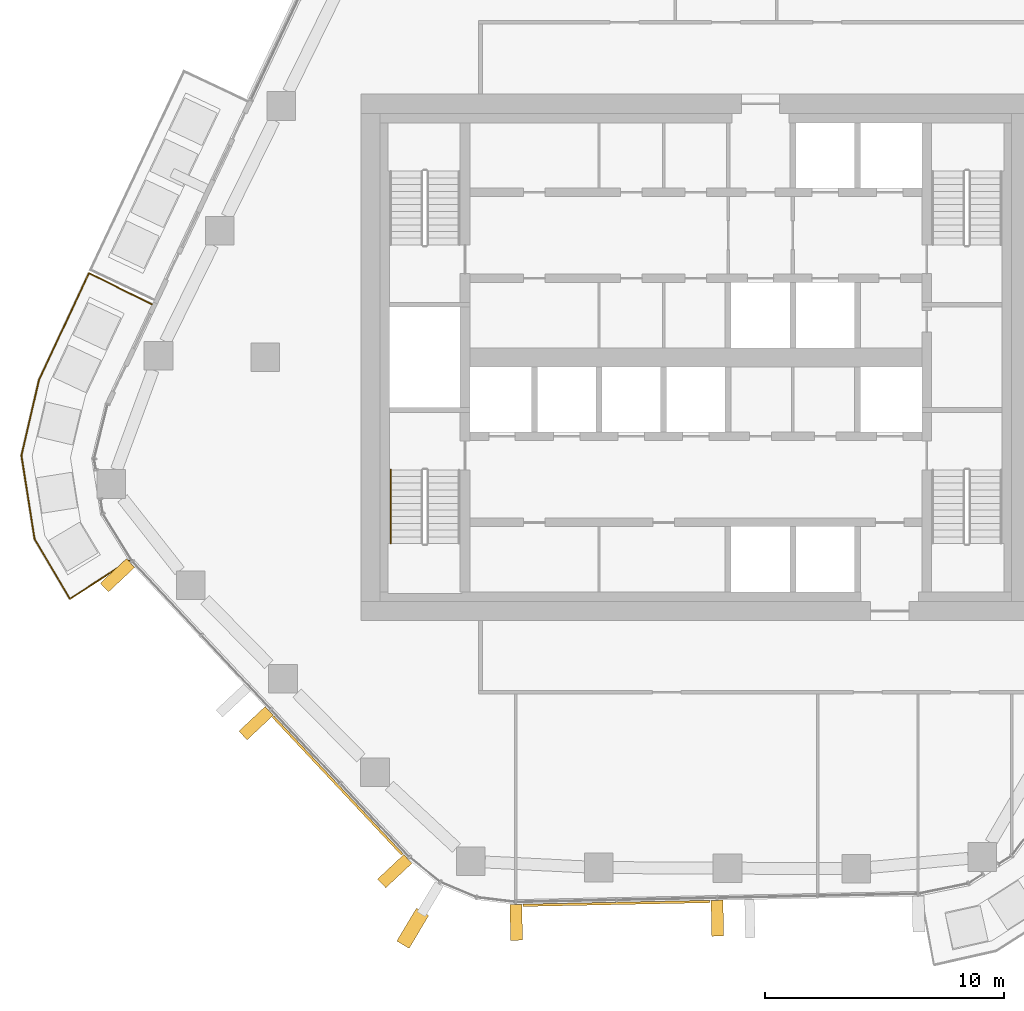
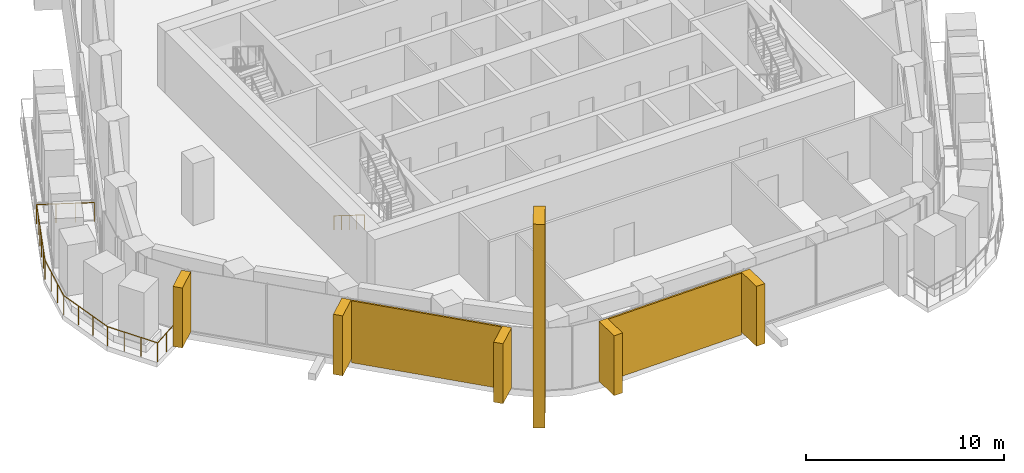
# One storey, part 15 of 18: 8 coverings, 2 railings, 3 elements without a shape of their own.
"""IFC4 building model written with IfcOpenShell, lengths in metres."""

from ifc_helpers import new_model, si_unit, direction, frame, origin, origin_2d, place, context, subcontext, project, spatial, rectangle, circle, extrude, material, layer, layer_set, material_profile, profile_set, type_object, element, aggregate, save


model = new_model("IFC4")

# Units and contexts
model_context = context("Model", 3, precision=1e-05, world=origin(), true_north=direction((0.0, 1.0)))
body_context = subcontext(model_context, "Body", "Model", "MODEL_VIEW")
ifc_project = project(units=[si_unit("LENGTHUNIT", "METRE"), si_unit("AREAUNIT", "SQUARE_METRE"), si_unit("VOLUMEUNIT", "CUBIC_METRE"), si_unit("PLANEANGLEUNIT", "RADIAN"), si_unit("MASSUNIT", "GRAM", prefix="KILO")], contexts=[model_context])

# Site, building, storey
site_placement = place(None, origin())
site = spatial("IfcSite", under=ifc_project, at=site_placement, CompositionType="ELEMENT")
building_placement = place(site_placement, origin())
building = spatial("IfcBuilding", under=site, at=building_placement, Name="Dongbaek Canopy Tower", CompositionType="ELEMENT")
storey_placement = place(building_placement, frame((0.0, 0.0, 158.60009765625)))
storey = spatial("IfcBuildingStorey", under=building, at=storey_placement, Name="L34", CompositionType="ELEMENT", Elevation=158.60009765625)

# Railing
ifc_material_1 = material(Name="Stainless steel", Category="steel")
railing_type_1 = type_object("IfcRailingType", Name="Balcony balustrade 1200", PredefinedType="BALUSTRADE", material=ifc_material_1)
railing_1_placement = place(storey_placement, frame((-22.730712890625, 2.21435546875, 0.0)))
element("IfcRailing", 1, at=railing_1_placement, inside=storey, type_object=railing_type_1, Name="Balcony guard L34 3", PredefinedType="BALUSTRADE", context=body_context, shape_type="SweptSolid", body=[
    extrude(circle(Radius=0.02392578125, at=origin_2d()), frame((0.0, 0.0, 1.17578125), z_axis=(-0.895735106679, 0.444588144987, 0.0), x_axis=(-0.444588144987, -0.895735106679, 0.0)), (0.0, 0.0, 1.0), 2.940673828125),
    extrude(circle(Radius=0.02392578125, at=origin_2d()), frame((-2.634033203125, 1.307373046875, 1.17578125), z_axis=(-0.423516750842, -0.905888272226, 0.0), x_axis=(0.905888272226, -0.423516750842, 0.0)), (0.0, 0.0, 1.0), 4.93212890625),
    extrude(circle(Radius=0.02392578125, at=origin_2d()), frame((-4.722900390625, -3.16064453125, 1.17578125), z_axis=(-0.226085073911, -0.974107560465, 0.0), x_axis=(0.974107560465, -0.226085073911, 0.0)), (0.0, 0.0, 1.0), 3.243896484375),
    extrude(circle(Radius=0.02392578125, at=origin_2d()), frame((-5.456298828125, -6.320556640625, 1.17578125), z_axis=(0.155707044404, -0.987803278149, 0.0), x_axis=(0.987803278149, 0.155707044404, 0.0)), (0.0, 0.0, 1.0), 3.532470703125),
    extrude(circle(Radius=0.02392578125, at=origin_2d()), frame((-4.90625, -9.81005859375, 1.17578125), z_axis=(0.509092024836, -0.860712094866, 0.0), x_axis=(0.860712094866, 0.509092024836, 0.0)), (0.0, 0.0, 1.0), 2.90234375),
    extrude(circle(Radius=0.02392578125, at=origin_2d()), frame((-3.4287109375, -12.30810546875, 1.17578125), z_axis=(0.839434258494, 0.543461245782, 0.0), x_axis=(-0.543461245782, 0.839434258494, 0.0)), (0.0, 0.0, 1.0), 2.940673828125),
    extrude(circle(Radius=0.02099609375, at=origin_2d()), origin(), (0.0, 0.0, 1.0), 1.15185546875),
    extrude(circle(Radius=0.02099609375, at=origin_2d()), frame((-0.8779296875, 0.435791015625, 0.0)), (0.0, 0.0, 1.0), 1.15185546875),
    extrude(circle(Radius=0.02099609375, at=origin_2d()), frame((-1.756103515625, 0.87158203125, 0.0)), (0.0, 0.0, 1.0), 1.15185546875),
    extrude(circle(Radius=0.02099609375, at=origin_2d()), frame((-2.634033203125, 1.307373046875, 0.0)), (0.0, 0.0, 1.0), 1.15185546875),
    extrude(circle(Radius=0.02099609375, at=origin_2d()), frame((-3.0517578125, 0.413818359375, 0.0)), (0.0, 0.0, 1.0), 1.15185546875),
    extrude(circle(Radius=0.02099609375, at=origin_2d()), frame((-3.469482421875, -0.479736328125, 0.0)), (0.0, 0.0, 1.0), 1.15185546875),
    extrude(circle(Radius=0.02099609375, at=origin_2d()), frame((-3.887451171875, -1.37353515625, 0.0)), (0.0, 0.0, 1.0), 1.15185546875),
    extrude(circle(Radius=0.02099609375, at=origin_2d()), frame((-4.30517578125, -2.26708984375, 0.0)), (0.0, 0.0, 1.0), 1.15185546875),
    extrude(circle(Radius=0.02099609375, at=origin_2d()), frame((-4.722900390625, -3.16064453125, 0.0)), (0.0, 0.0, 1.0), 1.15185546875),
    extrude(circle(Radius=0.02099609375, at=origin_2d()), frame((-4.96728515625, -4.2138671875, 0.0)), (0.0, 0.0, 1.0), 1.15185546875),
    extrude(circle(Radius=0.02099609375, at=origin_2d()), frame((-5.2119140625, -5.267333984375, 0.0)), (0.0, 0.0, 1.0), 1.15185546875),
    extrude(circle(Radius=0.02099609375, at=origin_2d()), frame((-5.456298828125, -6.320556640625, 0.0)), (0.0, 0.0, 1.0), 1.15185546875),
    extrude(circle(Radius=0.02099609375, at=origin_2d()), frame((-5.27294921875, -7.483642578125, 0.0)), (0.0, 0.0, 1.0), 1.15185546875),
    extrude(circle(Radius=0.02099609375, at=origin_2d()), frame((-5.089599609375, -8.64697265625, 0.0)), (0.0, 0.0, 1.0), 1.15185546875),
    extrude(circle(Radius=0.02099609375, at=origin_2d()), frame((-4.90625, -9.81005859375, 0.0)), (0.0, 0.0, 1.0), 1.15185546875),
    extrude(circle(Radius=0.02099609375, at=origin_2d()), frame((-4.413818359375, -10.642822265625, 0.0)), (0.0, 0.0, 1.0), 1.15185546875),
    extrude(circle(Radius=0.02099609375, at=origin_2d()), frame((-3.921142578125, -11.475341796875, 0.0)), (0.0, 0.0, 1.0), 1.15185546875),
    extrude(circle(Radius=0.02099609375, at=origin_2d()), frame((-3.4287109375, -12.30810546875, 0.0)), (0.0, 0.0, 1.0), 1.15185546875),
    extrude(circle(Radius=0.02099609375, at=origin_2d()), frame((-2.60595703125, -11.775390625, 0.0)), (0.0, 0.0, 1.0), 1.15185546875),
    extrude(circle(Radius=0.02099609375, at=origin_2d()), frame((-1.782958984375, -11.24267578125, 0.0)), (0.0, 0.0, 1.0), 1.15185546875),
    extrude(circle(Radius=0.02099609375, at=origin_2d()), frame((-0.960205078125, -10.7099609375, 0.0)), (0.0, 0.0, 1.0), 1.15185546875),
])

# Curtain wall, covering
ifc_material_2 = material(Name="Aluminium 6063-T6 pale anodised", Category="aluminium")
ifc_layer_1 = layer(ifc_material_2, 0.199951171875)
ifc_layer_set_1 = layer_set([ifc_layer_1], Name="CW-1 unitised tower curtain wall")
curtain_wall_type = type_object("IfcCurtainWallType", Name="CW-1 unitised tower curtain wall", PredefinedType="NOTDEFINED", material=ifc_layer_set_1)
curtain_wall_1_placement = place(storey_placement, origin())
curtain_wall_1 = element("IfcCurtainWall", 2, at=curtain_wall_1_placement, inside=storey, type_object=curtain_wall_type, Name="CW-1 curtain wall K4.1", PredefinedType="NOTDEFINED")
ifc_material_3 = material(Name="Aluminium 6063-T6 pale metal fin", Category="aluminium")
ifc_material_profile_1 = material_profile(ifc_material_3, rectangle(XDim=1.60009765625, YDim=0.60009765625, at=origin_2d()), Name="Corner fin CN1 600 x 1600 pale metal")
ifc_profile_set_1 = profile_set([ifc_material_profile_1], Name="Aluminium 6063-T6 pale metal fin")
covering_type_1 = type_object("IfcCoveringType", Name="Corner fin CN1 600 x 1600 pale metal", PredefinedType="CLADDING", material=ifc_profile_set_1)
covering_1_placement = place(storey_placement, frame((-11.8330078125, -23.86181640625, -0.190185546875), z_axis=(0.0, 0.0, 1.0), x_axis=(-0.512733815426, -0.858547630897, 0.0)))
covering_1 = element("IfcCovering", 3, at=covering_1_placement, type_object=covering_type_1, Name="Corner fin L34 L36 K4", PredefinedType="CLADDING", context=body_context, shape_type="SweptSolid", body=[
    extrude(rectangle(XDim=1.60009765625, YDim=0.60009765625, at=origin_2d()), origin(), (0.0, 0.0, 1.0), 12.580078125),
])
aggregate(curtain_wall_1, [covering_1])

curtain_wall_2_placement = place(storey_placement, origin())
curtain_wall_2 = element("IfcCurtainWall", 4, at=curtain_wall_2_placement, inside=storey, type_object=curtain_wall_type, Name="CW-1 curtain wall F3.1", PredefinedType="NOTDEFINED")
ifc_material_4 = material(Name="Perforated aluminium 6063-T6 pale metal screen", Category="aluminium")
ifc_layer_2 = layer(ifc_material_4, 0.10009765625)
ifc_layer_set_2 = layer_set([ifc_layer_2], Name="Facet screen FS1 100 pale metal")
covering_type_2 = type_object("IfcCoveringType", Name="Facet screen FS1 100 pale metal", PredefinedType="CLADDING", material=ifc_layer_set_2)
covering_2_placement = place(storey_placement, frame((-14.96826171875, -17.90185546875, 0.0), z_axis=(0.0, 0.0, 1.0), x_axis=(0.683821561846, -0.729649279829, 0.0)))
covering_2 = element("IfcCovering", 5, at=covering_2_placement, type_object=covering_type_2, Name="Facet screen L34 F3", PredefinedType="CLADDING", context=body_context, shape_type="SweptSolid", body=[
    extrude(rectangle(XDim=7.8955078125, YDim=0.10009765625, at=origin_2d()), origin(), (0.0, 0.0, 1.0), 3.820068359375),
])

curtain_wall_3_placement = place(storey_placement, origin())
curtain_wall_3 = element("IfcCurtainWall", 6, at=curtain_wall_3_placement, inside=storey, type_object=curtain_wall_type, Name="CW-1 curtain wall F4.1", PredefinedType="NOTDEFINED")
covering_3_placement = place(storey_placement, frame((-3.320068359375, -22.822998046875, 0.0), z_axis=(0.0, 0.0, 1.0), x_axis=(0.999789547169, 0.020514906096, 0.0)))
covering_3 = element("IfcCovering", 7, at=covering_3_placement, type_object=covering_type_2, Name="Facet screen L34 F4", PredefinedType="CLADDING", context=body_context, shape_type="SweptSolid", body=[
    extrude(rectangle(XDim=7.827880859375, YDim=0.10009765625, at=origin_2d()), origin(), (0.0, 0.0, 1.0), 3.820068359375),
])

# Covering
ifc_material_5 = material(Name="Aluminium 6063-T6 pale metal fin", Category="aluminium")
ifc_material_profile_2 = material_profile(ifc_material_5, rectangle(XDim=1.5, YDim=0.5, at=origin_2d()), Name="Fin FN1 500 x 1500 pale metal")
ifc_profile_set_2 = profile_set([ifc_material_profile_2], Name="Aluminium 6063-T6 pale metal fin")
covering_type_3 = type_object("IfcCoveringType", Name="Fin FN1 500 x 1500 pale metal", PredefinedType="CLADDING", material=ifc_profile_set_2)
covering_4_placement = place(storey_placement, frame((-24.17333984375, -9.109375, 0.119873046875), z_axis=(0.0, 0.0, 1.0), x_axis=(-0.729648859062, -0.683822010811, 0.0)))
covering_4 = element("IfcCovering", 8, at=covering_4_placement, type_object=covering_type_3, Name="Fin F3.1.1", PredefinedType="CLADDING", context=body_context, shape_type="SweptSolid", body=[
    extrude(rectangle(XDim=1.5, YDim=0.5, at=origin_2d()), origin(), (0.0, 0.0, 1.0), 3.699951171875),
])

covering_5_placement = place(storey_placement, frame((-18.379638671875, -15.291259765625, 0.119873046875), z_axis=(0.0, 0.0, 1.0), x_axis=(-0.729648859062, -0.683822010811, 0.0)))
covering_5 = element("IfcCovering", 9, at=covering_5_placement, type_object=covering_type_3, Name="Fin F3.1.3", PredefinedType="CLADDING", context=body_context, shape_type="SweptSolid", body=[
    extrude(rectangle(XDim=1.5, YDim=0.5, at=origin_2d()), origin(), (0.0, 0.0, 1.0), 3.699951171875),
])

covering_6_placement = place(storey_placement, frame((-12.583984375, -21.475341796875, 0.119873046875), z_axis=(0.0, 0.0, 1.0), x_axis=(-0.729648859062, -0.683822010811, 0.0)))
covering_6 = element("IfcCovering", 10, at=covering_6_placement, type_object=covering_type_3, Name="Fin F3.1.5", PredefinedType="CLADDING", context=body_context, shape_type="SweptSolid", body=[
    extrude(rectangle(XDim=1.5, YDim=0.5, at=origin_2d()), origin(), (0.0, 0.0, 1.0), 3.699951171875),
])

aggregate(curtain_wall_2, [covering_4, covering_5, covering_6, covering_2])

covering_7_placement = place(storey_placement, frame((-7.508544921875, -23.613037109375, 0.119873046875), z_axis=(0.0, 0.0, 1.0), x_axis=(0.020514717954, -0.999789551029, 0.0)))
covering_7 = element("IfcCovering", 11, at=covering_7_placement, type_object=covering_type_3, Name="Fin F4.1.1", PredefinedType="CLADDING", context=body_context, shape_type="SweptSolid", body=[
    extrude(rectangle(XDim=1.5, YDim=0.5, at=origin_2d()), origin(), (0.0, 0.0, 1.0), 3.699951171875),
])

covering_8_placement = place(storey_placement, frame((0.897705078125, -23.440673828125, 0.119873046875), z_axis=(0.0, 0.0, 1.0), x_axis=(0.020514717954, -0.999789551029, 0.0)))
covering_8 = element("IfcCovering", 12, at=covering_8_placement, type_object=covering_type_3, Name="Fin F4.1.3", PredefinedType="CLADDING", context=body_context, shape_type="SweptSolid", body=[
    extrude(rectangle(XDim=1.5, YDim=0.5, at=origin_2d()), origin(), (0.0, 0.0, 1.0), 3.699951171875),
])

aggregate(curtain_wall_3, [covering_7, covering_8, covering_3])

# Railing
ifc_material_6 = material(Name="Stainless steel tube", Category="steel")
railing_type_2 = type_object("IfcRailingType", Name="Stair handrail 900", PredefinedType="HANDRAIL", material=ifc_material_6)
railing_2_placement = place(storey_placement, frame((-12.75, -4.699951171875, 0.1748046875)))
element("IfcRailing", 13, at=railing_2_placement, inside=storey, type_object=railing_type_2, Name="L34 ST-D stair handrail 1", PredefinedType="HANDRAIL", context=body_context, shape_type="SweptSolid", body=[
    extrude(circle(Radius=0.02392578125, at=origin_2d()), frame((0.0, 0.0, 0.8759765625), z_axis=(0.0, -0.847998304005, 0.529998940003), x_axis=(1.0, 0.0, 0.0)), (0.0, 0.0, 1.0), 3.632080078125),
    extrude(circle(Radius=0.02099609375, at=origin_2d()), origin(), (0.0, 0.0, 1.0), 0.851806640625),
    extrude(circle(Radius=0.02099609375, at=origin_2d()), frame((0.0, -0.77001953125, 0.481201171875)), (0.0, 0.0, 1.0), 0.851806640625),
    extrude(circle(Radius=0.02099609375, at=origin_2d()), frame((0.0, -1.5400390625, 0.96240234375)), (0.0, 0.0, 1.0), 0.851806640625),
    extrude(circle(Radius=0.02099609375, at=origin_2d()), frame((0.0, -2.31005859375, 1.44384765625)), (0.0, 0.0, 1.0), 0.851806640625),
    extrude(circle(Radius=0.02099609375, at=origin_2d()), frame((0.0, -3.080078125, 1.925048828125)), (0.0, 0.0, 1.0), 0.851806640625),
])

save(model, "model.ifc")
